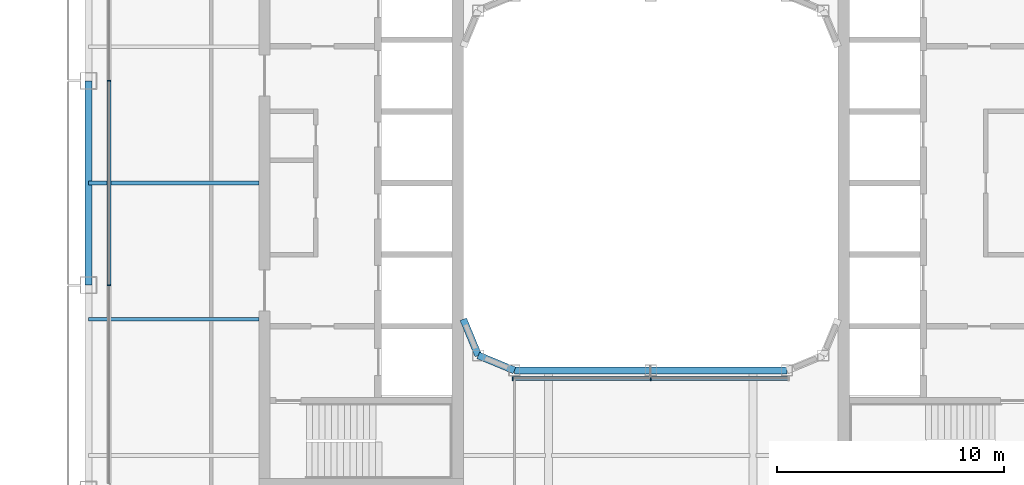
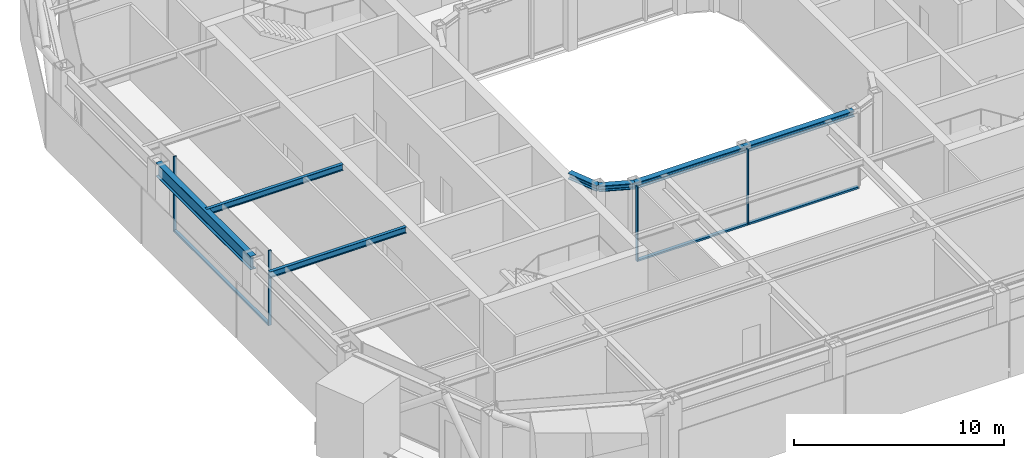
# One storey, part 4 of 20: 7 beams, 7 members, 2 elements without a shape of their own.
"""IFC4 building model written with IfcOpenShell, lengths in metres."""

from ifc_helpers import new_model, si_unit, direction, frame, origin, origin_2d, place, context, subcontext, project, spatial, rectangle, i_section, extrude, material, layer, layer_set, material_profile, profile_set, type_object, element, aggregate, save


model = new_model("IFC4")

# Units and contexts
model_context = context("Model", 3, precision=1e-05, world=origin(), true_north=direction((0.0, 1.0)))
body_context = subcontext(model_context, "Body", "Model", "MODEL_VIEW")
ifc_project = project(units=[si_unit("LENGTHUNIT", "METRE"), si_unit("AREAUNIT", "SQUARE_METRE"), si_unit("VOLUMEUNIT", "CUBIC_METRE"), si_unit("PLANEANGLEUNIT", "RADIAN"), si_unit("MASSUNIT", "GRAM", prefix="KILO")], contexts=[model_context])

# Site, building, storey
site_placement = place(None, origin())
site = spatial("IfcSite", under=ifc_project, at=site_placement, CompositionType="ELEMENT")
building_placement = place(site_placement, origin())
building = spatial("IfcBuilding", under=site, at=building_placement, Name="Siwar Civic Tower", CompositionType="ELEMENT")
storey_placement = place(building_placement, frame((0.0, 0.0, 298.699951171875)))
storey = spatial("IfcBuildingStorey", under=building, at=storey_placement, Name="L64", CompositionType="ELEMENT", Elevation=298.699951171875)

# Curtain wall, members
ifc_material_1 = material(Name="Aluminium and glass", Category="aluminium")
ifc_layer_1 = layer(ifc_material_1, 0.159912109375)
ifc_layer_set_1 = layer_set([ifc_layer_1], Name="Aluminium and glass")
curtain_wall_type_1 = type_object("IfcCurtainWallType", Name="ENV-CW-D", PredefinedType="NOTDEFINED", material=ifc_layer_set_1)
curtain_wall_1_placement = place(storey_placement, origin())
curtain_wall_1 = element("IfcCurtainWall", 1, at=curtain_wall_1_placement, inside=storey, type_object=curtain_wall_type_1, Name="Curtain wall D W", PredefinedType="NOTDEFINED")
ifc_material_2 = material(Name="Aluminium 6063-T6", Category="aluminium")
ifc_material_profile_1 = material_profile(ifc_material_2, rectangle(XDim=0.159912109375, YDim=0.06005859375, at=origin_2d()), Name="AL 160x60")
ifc_profile_set_1 = profile_set([ifc_material_profile_1], Name="Aluminium 6063-T6")
member_type_1 = type_object("IfcMemberType", Name="ENV-MULLION-D", PredefinedType="MULLION", material=ifc_profile_set_1)
member_1_placement = place(storey_placement, frame((-23.85009765625, 4.5, 0.0), z_axis=(0.0, 0.0, 1.0), x_axis=(1.0, 0.0, 0.0)))
member_1 = element("IfcMember", 2, at=member_1_placement, type_object=member_type_1, Name="Mullion D W 2", PredefinedType="MULLION", context=body_context, shape_type="SweptSolid", body=[
    extrude(rectangle(XDim=0.159912109375, YDim=0.06005859375, at=origin_2d()), origin(), (0.0, 0.0, 1.0), 4.35009765625),
])
member_2_placement = place(storey_placement, frame((-23.85009765625, -4.5, 0.0), z_axis=(0.0, 0.0, 1.0), x_axis=(1.0, 0.0, 0.0)))
member_2 = element("IfcMember", 3, at=member_2_placement, type_object=member_type_1, Name="Mullion D W 3", PredefinedType="MULLION", context=body_context, shape_type="SweptSolid", body=[
    extrude(rectangle(XDim=0.159912109375, YDim=0.06005859375, at=origin_2d()), origin(), (0.0, 0.0, 1.0), 4.35009765625),
])

ifc_material_3 = material(Name="Aluminium and glass", Category="aluminium")
ifc_layer_2 = layer(ifc_material_3, 0.179931640625)
ifc_layer_set_2 = layer_set([ifc_layer_2], Name="Aluminium and glass")
curtain_wall_type_2 = type_object("IfcCurtainWallType", Name="ENV-CW-W", PredefinedType="NOTDEFINED", material=ifc_layer_set_2)
curtain_wall_2_placement = place(storey_placement, origin())
curtain_wall_2 = element("IfcCurtainWall", 4, at=curtain_wall_2_placement, inside=storey, type_object=curtain_wall_type_2, Name="Curtain wall W WS", PredefinedType="NOTDEFINED")
ifc_material_4 = material(Name="Aluminium 6063-T6", Category="aluminium")
ifc_material_profile_2 = material_profile(ifc_material_4, rectangle(XDim=0.179931640625, YDim=0.06005859375, at=origin_2d()), Name="AL 180x60")
ifc_profile_set_2 = profile_set([ifc_material_profile_2], Name="Aluminium 6063-T6")
member_type_2 = type_object("IfcMemberType", Name="ENV-MULLION-W", PredefinedType="MULLION", material=ifc_profile_set_2)
member_3_placement = place(storey_placement, frame((-6.071533203125, -8.610107421875, 0.0), z_axis=(0.0, 0.0, 1.0), x_axis=(0.0, 1.0, 0.0)))
member_3 = element("IfcMember", 5, at=member_3_placement, type_object=member_type_2, Name="Mullion W WS 1", PredefinedType="MULLION", context=body_context, shape_type="SweptSolid", body=[
    extrude(rectangle(XDim=0.179931640625, YDim=0.06005859375, at=origin_2d()), origin(), (0.0, 0.0, 1.0), 4.35009765625),
])
member_4_placement = place(storey_placement, frame((0.0, -8.610107421875, 0.0), z_axis=(0.0, 0.0, 1.0), x_axis=(0.0, 1.0, 0.0)))
member_4 = element("IfcMember", 6, at=member_4_placement, type_object=member_type_2, Name="Mullion W WS 2", PredefinedType="MULLION", context=body_context, shape_type="SweptSolid", body=[
    extrude(rectangle(XDim=0.179931640625, YDim=0.06005859375, at=origin_2d()), origin(), (0.0, 0.0, 1.0), 4.35009765625),
])

# Member
ifc_material_5 = material(Name="Aluminium 6063-T6", Category="aluminium")
ifc_material_profile_3 = material_profile(ifc_material_5, rectangle(XDim=0.159912109375, YDim=0.10009765625, at=origin_2d()), Name="AL 160x100")
ifc_profile_set_3 = profile_set([ifc_material_profile_3], Name="Aluminium 6063-T6")
member_type_3 = type_object("IfcMemberType", Name="ENV-TRANSOM-D", PredefinedType="USERDEFINED", material=ifc_profile_set_3)
member_5_placement = place(storey_placement, frame((-23.85009765625, 4.469970703125, 0.050048828125), z_axis=(0.0, -1.0, 0.0), x_axis=(1.0, 0.0, 0.0)))
member_5 = element("IfcMember", 7, at=member_5_placement, type_object=member_type_3, Name="Transom D W 2", ObjectType="TRANSOM", PredefinedType="USERDEFINED", context=body_context, shape_type="SweptSolid", body=[
    extrude(rectangle(XDim=0.159912109375, YDim=0.10009765625, at=origin_2d()), origin(), (0.0, 0.0, 1.0), 8.93994140625),
])

aggregate(curtain_wall_1, [member_1, member_2, member_5])

ifc_material_6 = material(Name="Aluminium 6063-T6", Category="aluminium")
ifc_material_profile_4 = material_profile(ifc_material_6, rectangle(XDim=0.179931640625, YDim=0.10009765625, at=origin_2d()), Name="AL 180x100")
ifc_profile_set_4 = profile_set([ifc_material_profile_4], Name="Aluminium 6063-T6")
member_type_4 = type_object("IfcMemberType", Name="ENV-TRANSOM-W", PredefinedType="USERDEFINED", material=ifc_profile_set_4)
member_6_placement = place(storey_placement, frame((-6.04150390625, -8.610107421875, 0.050048828125), z_axis=(1.0, 0.0, 0.0), x_axis=(0.0, 1.0, 0.0)))
member_6 = element("IfcMember", 8, at=member_6_placement, type_object=member_type_4, Name="Transom W WS 1", ObjectType="TRANSOM", PredefinedType="USERDEFINED", context=body_context, shape_type="SweptSolid", body=[
    extrude(rectangle(XDim=0.179931640625, YDim=0.10009765625, at=origin_2d()), origin(), (0.0, 0.0, 1.0), 6.011474609375),
])

member_7_placement = place(storey_placement, frame((0.030029296875, -8.610107421875, 0.050048828125), z_axis=(1.0, 0.0, 0.0), x_axis=(0.0, 1.0, 0.0)))
member_7 = element("IfcMember", 9, at=member_7_placement, type_object=member_type_4, Name="Transom W WS 2", ObjectType="TRANSOM", PredefinedType="USERDEFINED", context=body_context, shape_type="SweptSolid", body=[
    extrude(rectangle(XDim=0.179931640625, YDim=0.10009765625, at=origin_2d()), origin(), (0.0, 0.0, 1.0), 6.011474609375),
])

aggregate(curtain_wall_2, [member_3, member_4, member_6, member_7])

# Beams
ifc_material_7 = material(Name="Steel S355", Category="steel")
ifc_material_profile_5 = material_profile(ifc_material_7, i_section(OverallWidth=0.169921875, OverallDepth=0.360107421875, WebThickness=0.008056640625, FlangeThickness=0.0126953125, FilletRadius=0.01806640625, at=origin_2d()), Name="IPE360")
ifc_profile_set_5 = profile_set([ifc_material_profile_5], Name="Steel S355")
beam_type_1 = type_object("IfcBeamType", Name="STR-FB-IPE360", PredefinedType="JOIST", material=ifc_profile_set_5)
for number, where, z_axis, x_axis, name in (
    (10, (-24.75, -6.0, 4.170166015625), (1.0, 0.0, 0.0), (0.0, 1.0, 0.0), "L64/bm/F016"),
    (11, (-24.75, 0.0, 4.170166015625), (1.0, 0.0, 0.0), (0.0, 1.0, 0.0), "L64/bm/F018"),
):
    element("IfcBeam", number, at=place(storey_placement, frame(where, z_axis=z_axis, x_axis=x_axis)), inside=storey, type_object=beam_type_1, Name=name, PredefinedType="JOIST", context=body_context, shape_type="SweptSolid", body=[
        extrude(i_section(OverallWidth=0.169921875, OverallDepth=0.360107421875, WebThickness=0.008056640625, FlangeThickness=0.0126953125, FilletRadius=0.01806640625, at=origin_2d()), origin(), (0.0, 0.0, 1.0), 7.5),
    ])
ifc_material_8 = material(Name="Steel S355", Category="steel")
ifc_material_profile_6 = material_profile(ifc_material_8, i_section(OverallWidth=0.31005859375, OverallDepth=0.340087890625, WebThickness=0.02099609375, FlangeThickness=0.0390625, FilletRadius=0.027099609375, at=origin_2d()), Name="HEM300")
ifc_profile_set_6 = profile_set([ifc_material_profile_6], Name="Steel S355")
beam_type_2 = type_object("IfcBeamType", Name="STR-RB-HEM300", PredefinedType="BEAM", material=ifc_profile_set_6)
beam_1_placement = place(storey_placement, frame((-7.591064453125, -7.591064453125, 4.179931640625), z_axis=(0.923901072997, -0.382631424892, 0.0), x_axis=(0.382631424892, 0.923901072997, 0.0)))
element("IfcBeam", 12, at=beam_1_placement, inside=storey, type_object=beam_type_2, Name="L64/bm/RS0", PredefinedType="BEAM", context=body_context, shape_type="SweptSolid", body=[
    extrude(i_section(OverallWidth=0.31005859375, OverallDepth=0.340087890625, WebThickness=0.02099609375, FlangeThickness=0.0390625, FilletRadius=0.027099609375, at=origin_2d()), origin(), (0.0, 0.0, 1.0), 1.72216796875),
])
for number, where, z_axis, x_axis, name in (
    (13, (-6.0, -8.25, 4.179931640625), (1.0, 0.0, 0.0), (0.0, 1.0, 0.0), "L64/bm/RS1"),
    (14, (0.0, -8.25, 4.179931640625), (1.0, 0.0, 0.0), (0.0, 1.0, 0.0), "L64/bm/RS2"),
):
    element("IfcBeam", number, at=place(storey_placement, frame(where, z_axis=z_axis, x_axis=x_axis)), inside=storey, type_object=beam_type_2, Name=name, PredefinedType="BEAM", context=body_context, shape_type="SweptSolid", body=[
        extrude(i_section(OverallWidth=0.31005859375, OverallDepth=0.340087890625, WebThickness=0.02099609375, FlangeThickness=0.0390625, FilletRadius=0.027099609375, at=origin_2d()), origin(), (0.0, 0.0, 1.0), 6.0),
    ])
beam_2_placement = place(storey_placement, frame((-7.591064453125, -7.591064453125, 4.179931640625), z_axis=(-0.382631424892, 0.923901072997, 0.0), x_axis=(-0.923901072997, -0.382631424892, 0.0)))
element("IfcBeam", 15, at=beam_2_placement, inside=storey, type_object=beam_type_2, Name="L64/bm/RSEW", PredefinedType="BEAM", context=body_context, shape_type="SweptSolid", body=[
    extrude(i_section(OverallWidth=0.31005859375, OverallDepth=0.340087890625, WebThickness=0.02099609375, FlangeThickness=0.0390625, FilletRadius=0.027099609375, at=origin_2d()), origin(), (0.0, 0.0, 1.0), 1.72216796875),
])
ifc_material_9 = material(Name="Steel S355", Category="steel")
ifc_material_profile_7 = material_profile(ifc_material_9, i_section(OverallWidth=0.300048828125, OverallDepth=0.800048828125, WebThickness=0.017578125, FlangeThickness=0.032958984375, FilletRadius=0.030029296875, at=origin_2d()), Name="HEB800")
ifc_profile_set_7 = profile_set([ifc_material_profile_7], Name="Steel S355")
beam_type_3 = type_object("IfcBeamType", Name="STR-SB-HEB800", PredefinedType="BEAM", material=ifc_profile_set_7)
beam_3_placement = place(storey_placement, frame((-24.75, 4.5, 3.949951171875), z_axis=(0.0, -1.0, 0.0), x_axis=(1.0, 0.0, 0.0)))
element("IfcBeam", 16, at=beam_3_placement, inside=storey, type_object=beam_type_3, Name="L64/bm/SW-1", PredefinedType="BEAM", context=body_context, shape_type="SweptSolid", body=[
    extrude(i_section(OverallWidth=0.300048828125, OverallDepth=0.800048828125, WebThickness=0.017578125, FlangeThickness=0.032958984375, FilletRadius=0.030029296875, at=origin_2d()), origin(), (0.0, 0.0, 1.0), 9.0),
])

save(model, "model.ifc")
